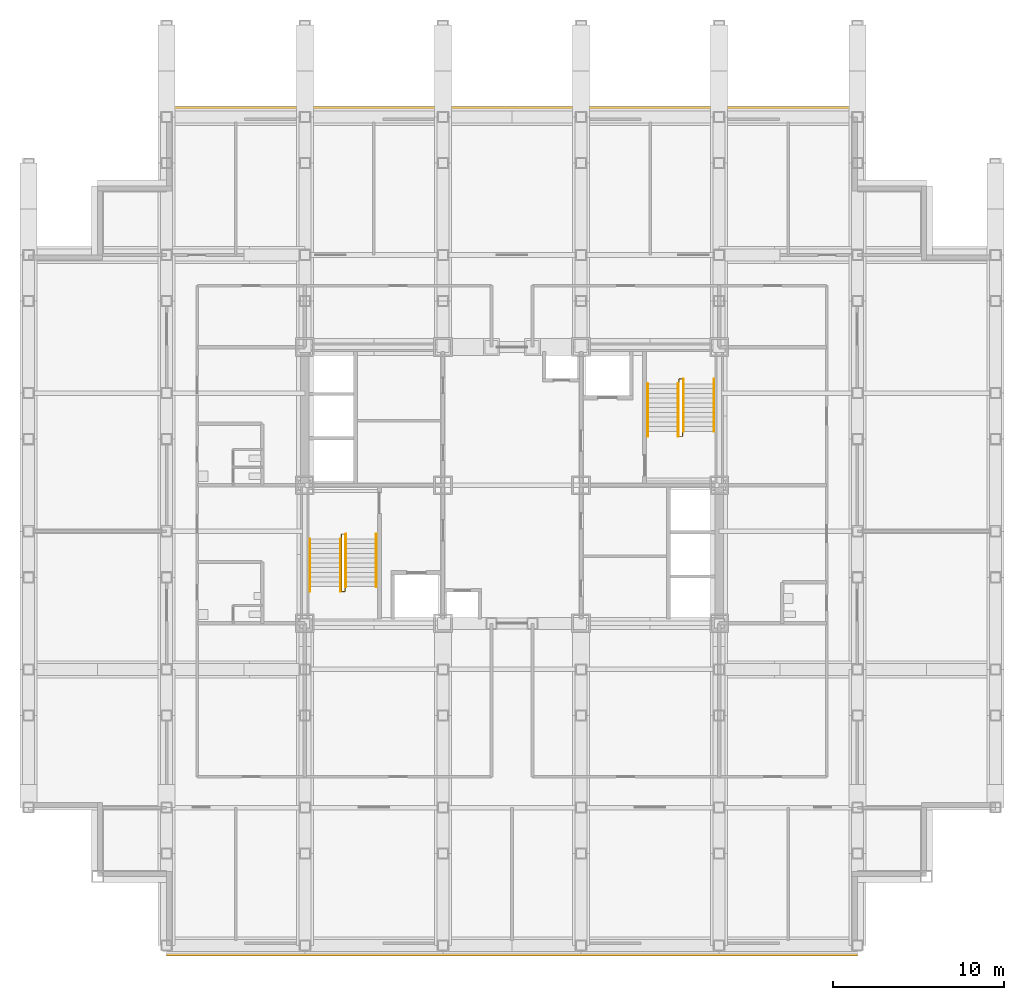
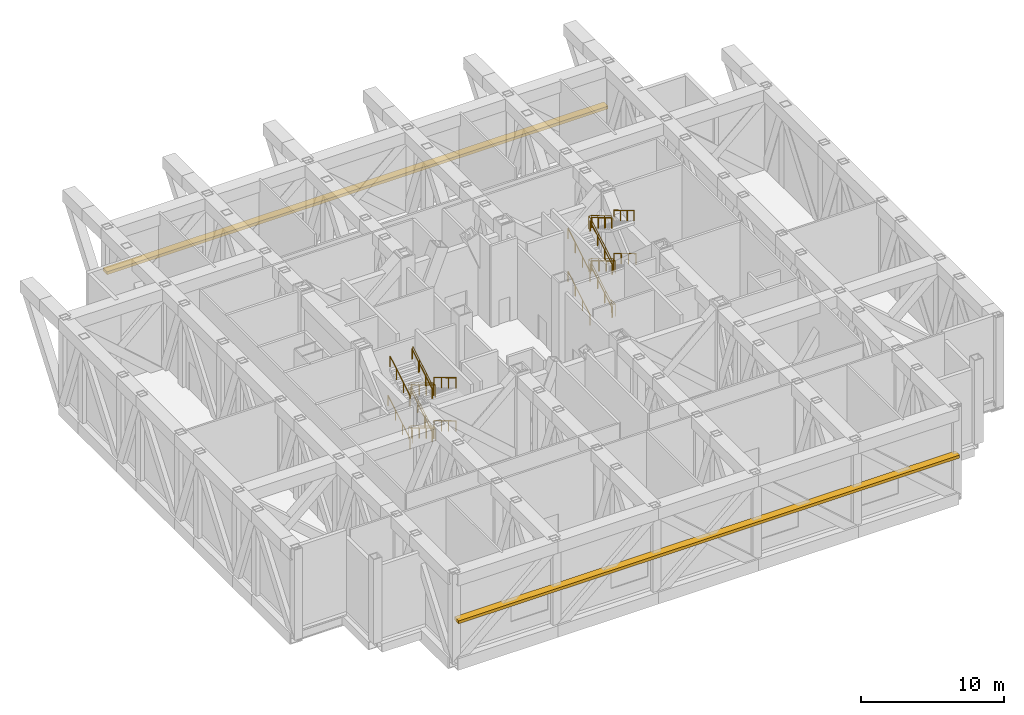
# One storey, part 12 of 13: 18 railings, 2 shading devices.
"""IFC4 building model written with IfcOpenShell, lengths in metres."""

from ifc_helpers import new_model, si_unit, direction, frame, origin, origin_2d, place, context, subcontext, project, spatial, rectangle, circle, extrude, material, type_object, element, save


model = new_model("IFC4")

# Units and contexts
model_context = context("Model", 3, precision=1e-05, world=origin(), true_north=direction((0.0, 1.0)))
body_context = subcontext(model_context, "Body", "Model", "MODEL_VIEW")
ifc_project = project(units=[si_unit("LENGTHUNIT", "METRE"), si_unit("AREAUNIT", "SQUARE_METRE"), si_unit("VOLUMEUNIT", "CUBIC_METRE"), si_unit("PLANEANGLEUNIT", "RADIAN"), si_unit("MASSUNIT", "GRAM", prefix="KILO")], contexts=[model_context])

# Site, building, storey
site_placement = place(None, origin())
site = spatial("IfcSite", under=ifc_project, at=site_placement, CompositionType="ELEMENT")
building_placement = place(site_placement, origin())
building = spatial("IfcBuilding", under=site, at=building_placement, Name="Kopane Lantern Tower", CompositionType="ELEMENT")
storey_placement = place(building_placement, frame((0.0, 0.0, 157.800048828125)))
storey = spatial("IfcBuildingStorey", under=building, at=storey_placement, Name="L41", CompositionType="ELEMENT", Elevation=157.800048828125)

# Railings
ifc_material_1 = material(Name="Steel", Category="steel")
railing_type_1 = type_object("IfcRailingType", Name="STAIR GUARD 1100", PredefinedType="GUARDRAIL", material=ifc_material_1)
railing_1_placement = place(storey_placement, frame((18.35009765625, 28.969970703125, 0.0)))
element("IfcRailing", 1, at=railing_1_placement, inside=storey, type_object=railing_type_1, Name="ST1 well guard L41", PredefinedType="GUARDRAIL", context=body_context, shape_type="SweptSolid", body=[
    extrude(circle(Radius=0.02392578125, at=origin_2d()), frame((0.0, 0.0, 1.076171875), z_axis=(0.0, 1.0, 0.0), x_axis=(-1.0, 0.0, 0.0)), (0.0, 0.0, 1.0), 0.56005859375),
    extrude(circle(Radius=0.02392578125, at=origin_2d()), frame((0.0, 0.56005859375, 1.076171875), z_axis=(1.0, 0.0, 0.0), x_axis=(0.0, 1.0, 0.0)), (0.0, 0.0, 1.0), 0.199951171875),
    extrude(circle(Radius=0.02392578125, at=origin_2d()), frame((0.199951171875, 0.56005859375, 1.076171875), z_axis=(0.0, -0.858260302833, 0.513214626234), x_axis=(1.0, 0.0, 0.0)), (0.0, 0.0, 1.0), 3.5888671875),
    extrude(circle(Radius=0.02392578125, at=origin_2d()), frame((0.199951171875, -2.52001953125, 2.91796875), z_axis=(0.0, -1.0, 0.0), x_axis=(1.0, 0.0, 0.0)), (0.0, 0.0, 1.0), 0.280029296875),
    extrude(circle(Radius=0.02392578125, at=origin_2d()), frame((0.199951171875, -2.800048828125, 2.91796875), z_axis=(-1.0, 0.0, 0.0), x_axis=(0.0, -1.0, 0.0)), (0.0, 0.0, 1.0), 0.199951171875),
    extrude(circle(Radius=0.02392578125, at=origin_2d()), frame((0.0, -2.800048828125, 2.91796875), z_axis=(0.0, 0.858260302833, 0.513214626234), x_axis=(-1.0, 0.0, 0.0)), (0.0, 0.0, 1.0), 3.5888671875),
    extrude(circle(Radius=0.02392578125, at=origin_2d()), frame((0.0, 0.280029296875, 4.759765625), z_axis=(0.0, 1.0, 0.0), x_axis=(-1.0, 0.0, 0.0)), (0.0, 0.0, 1.0), 0.280029296875),
    extrude(circle(Radius=0.02392578125, at=origin_2d()), frame((0.0, 0.56005859375, 4.759765625), z_axis=(1.0, 0.0, 0.0), x_axis=(0.0, 1.0, 0.0)), (0.0, 0.0, 1.0), 0.199951171875),
    extrude(circle(Radius=0.02392578125, at=origin_2d()), frame((0.199951171875, 0.56005859375, 4.759765625), z_axis=(0.0, -0.85823033734, 0.513264734879), x_axis=(1.0, 0.0, 0.0)), (0.0, 0.0, 1.0), 3.5888671875),
    extrude(circle(Radius=0.02392578125, at=origin_2d()), frame((0.199951171875, -2.52001953125, 6.6015625), z_axis=(0.0, -1.0, 0.0), x_axis=(1.0, 0.0, 0.0)), (0.0, 0.0, 1.0), 0.280029296875),
    extrude(circle(Radius=0.02392578125, at=origin_2d()), frame((0.199951171875, -2.800048828125, 6.6015625), z_axis=(-1.0, 0.0, 0.0), x_axis=(0.0, -1.0, 0.0)), (0.0, 0.0, 1.0), 0.199951171875),
    extrude(circle(Radius=0.02392578125, at=origin_2d()), frame((0.0, -2.800048828125, 6.6015625), z_axis=(0.0, 0.858264504049, 0.513207600381), x_axis=(-1.0, 0.0, 0.0)), (0.0, 0.0, 1.0), 3.262451171875),
    extrude(circle(Radius=0.02099609375, at=origin_2d()), origin(), (0.0, 0.0, 1.0), 1.052001953125),
    extrude(circle(Radius=0.02099609375, at=origin_2d()), frame((0.0, 0.56005859375, 0.0)), (0.0, 0.0, 1.0), 1.052001953125),
    extrude(circle(Radius=0.02099609375, at=origin_2d()), frame((0.199951171875, 0.56005859375, 0.0)), (0.0, 0.0, 1.0), 1.052001953125),
    extrude(circle(Radius=0.02099609375, at=origin_2d()), frame((0.199951171875, -0.466552734375, 0.614013671875)), (0.0, 0.0, 1.0), 1.052001953125),
    extrude(circle(Radius=0.02099609375, at=origin_2d()), frame((0.199951171875, -1.493408203125, 1.227783203125)), (0.0, 0.0, 1.0), 1.052001953125),
    extrude(circle(Radius=0.02099609375, at=origin_2d()), frame((0.199951171875, -2.52001953125, 1.841796875)), (0.0, 0.0, 1.0), 1.052001953125),
    extrude(circle(Radius=0.02099609375, at=origin_2d()), frame((0.199951171875, -2.800048828125, 1.841796875)), (0.0, 0.0, 1.0), 1.052001953125),
    extrude(circle(Radius=0.02099609375, at=origin_2d()), frame((0.0, -2.800048828125, 1.841796875)), (0.0, 0.0, 1.0), 1.052001953125),
    extrude(circle(Radius=0.02099609375, at=origin_2d()), frame((0.0, -1.7734375, 2.455810546875)), (0.0, 0.0, 1.0), 1.052001953125),
    extrude(circle(Radius=0.02099609375, at=origin_2d()), frame((0.0, -0.74658203125, 3.069580078125)), (0.0, 0.0, 1.0), 1.052001953125),
    extrude(circle(Radius=0.02099609375, at=origin_2d()), frame((0.0, 0.280029296875, 3.68359375)), (0.0, 0.0, 1.0), 1.052001953125),
    extrude(circle(Radius=0.02099609375, at=origin_2d()), frame((0.0, 0.56005859375, 3.68359375)), (0.0, 0.0, 1.0), 1.052001953125),
    extrude(circle(Radius=0.02099609375, at=origin_2d()), frame((0.199951171875, 0.56005859375, 3.68359375)), (0.0, 0.0, 1.0), 1.052001953125),
    extrude(circle(Radius=0.02099609375, at=origin_2d()), frame((0.199951171875, -0.466552734375, 4.297607421875)), (0.0, 0.0, 1.0), 1.052001953125),
    extrude(circle(Radius=0.02099609375, at=origin_2d()), frame((0.199951171875, -1.493408203125, 4.91162109375)), (0.0, 0.0, 1.0), 1.052001953125),
    extrude(circle(Radius=0.02099609375, at=origin_2d()), frame((0.199951171875, -2.52001953125, 5.525634765625)), (0.0, 0.0, 1.0), 1.052001953125),
    extrude(circle(Radius=0.02099609375, at=origin_2d()), frame((0.199951171875, -2.800048828125, 5.525634765625)), (0.0, 0.0, 1.0), 1.052001953125),
    extrude(circle(Radius=0.02099609375, at=origin_2d()), frame((0.0, -2.800048828125, 5.525634765625)), (0.0, 0.0, 1.0), 1.052001953125),
    extrude(circle(Radius=0.02099609375, at=origin_2d()), frame((0.0, -1.86669921875, 6.083740234375)), (0.0, 0.0, 1.0), 1.052001953125),
    extrude(circle(Radius=0.02099609375, at=origin_2d()), frame((0.0, -0.933349609375, 6.641845703125)), (0.0, 0.0, 1.0), 1.052001953125),
    extrude(circle(Radius=0.02099609375, at=origin_2d()), frame((0.0, 0.0, 7.199951171875)), (0.0, 0.0, 1.0), 1.052001953125),
])
railing_2_placement = place(storey_placement, frame((38.35009765625, 35.830078125, 0.0)))
element("IfcRailing", 2, at=railing_2_placement, inside=storey, type_object=railing_type_1, Name="ST2 well guard L41", PredefinedType="GUARDRAIL", context=body_context, shape_type="SweptSolid", body=[
    extrude(circle(Radius=0.02392578125, at=origin_2d()), frame((0.0, 0.0, 1.076171875), z_axis=(0.0, -1.0, 0.0), x_axis=(1.0, 0.0, 0.0)), (0.0, 0.0, 1.0), 0.56005859375),
    extrude(circle(Radius=0.02392578125, at=origin_2d()), frame((0.0, -0.56005859375, 1.076171875), z_axis=(-1.0, 0.0, 0.0), x_axis=(0.0, -1.0, 0.0)), (0.0, 0.0, 1.0), 0.2001953125),
    extrude(circle(Radius=0.02392578125, at=origin_2d()), frame((-0.2001953125, -0.56005859375, 1.076171875), z_axis=(0.0, 0.858260302833, 0.513214626234), x_axis=(-1.0, 0.0, 0.0)), (0.0, 0.0, 1.0), 3.5888671875),
    extrude(circle(Radius=0.02392578125, at=origin_2d()), frame((-0.2001953125, 2.52001953125, 2.91796875), z_axis=(0.0, 1.0, 0.0), x_axis=(-1.0, 0.0, 0.0)), (0.0, 0.0, 1.0), 0.27978515625),
    extrude(circle(Radius=0.02392578125, at=origin_2d()), frame((-0.2001953125, 2.7998046875, 2.91796875), z_axis=(1.0, 0.0, 0.0), x_axis=(0.0, 1.0, 0.0)), (0.0, 0.0, 1.0), 0.2001953125),
    extrude(circle(Radius=0.02392578125, at=origin_2d()), frame((0.0, 2.7998046875, 2.91796875), z_axis=(0.0, -0.858242383022, 0.513244592748), x_axis=(1.0, 0.0, 0.0)), (0.0, 0.0, 1.0), 3.588623046875),
    extrude(circle(Radius=0.02392578125, at=origin_2d()), frame((0.0, -0.280029296875, 4.759765625), z_axis=(0.0, -1.0, 0.0), x_axis=(1.0, 0.0, 0.0)), (0.0, 0.0, 1.0), 0.280029296875),
    extrude(circle(Radius=0.02392578125, at=origin_2d()), frame((0.0, -0.56005859375, 4.759765625), z_axis=(-1.0, 0.0, 0.0), x_axis=(0.0, -1.0, 0.0)), (0.0, 0.0, 1.0), 0.2001953125),
    extrude(circle(Radius=0.02392578125, at=origin_2d()), frame((-0.2001953125, -0.56005859375, 4.759765625), z_axis=(0.0, 0.85823033734, 0.513264734879), x_axis=(-1.0, 0.0, 0.0)), (0.0, 0.0, 1.0), 3.5888671875),
    extrude(circle(Radius=0.02392578125, at=origin_2d()), frame((-0.2001953125, 2.52001953125, 6.6015625), z_axis=(0.0, 1.0, 0.0), x_axis=(-1.0, 0.0, 0.0)), (0.0, 0.0, 1.0), 0.27978515625),
    extrude(circle(Radius=0.02392578125, at=origin_2d()), frame((-0.2001953125, 2.7998046875, 6.6015625), z_axis=(1.0, 0.0, 0.0), x_axis=(0.0, 1.0, 0.0)), (0.0, 0.0, 1.0), 0.2001953125),
    extrude(circle(Radius=0.02392578125, at=origin_2d()), frame((0.0, 2.7998046875, 6.6015625), z_axis=(0.0, -0.858244792371, 0.513240563837), x_axis=(1.0, 0.0, 0.0)), (0.0, 0.0, 1.0), 3.26220703125),
    extrude(circle(Radius=0.02099609375, at=origin_2d()), origin(), (0.0, 0.0, 1.0), 1.052001953125),
    extrude(circle(Radius=0.02099609375, at=origin_2d()), frame((0.0, -0.56005859375, 0.0)), (0.0, 0.0, 1.0), 1.052001953125),
    extrude(circle(Radius=0.02099609375, at=origin_2d()), frame((-0.2001953125, -0.56005859375, 0.0)), (0.0, 0.0, 1.0), 1.052001953125),
    extrude(circle(Radius=0.02099609375, at=origin_2d()), frame((-0.2001953125, 0.466552734375, 0.614013671875)), (0.0, 0.0, 1.0), 1.052001953125),
    extrude(circle(Radius=0.02099609375, at=origin_2d()), frame((-0.2001953125, 1.493408203125, 1.227783203125)), (0.0, 0.0, 1.0), 1.052001953125),
    extrude(circle(Radius=0.02099609375, at=origin_2d()), frame((-0.2001953125, 2.52001953125, 1.841796875)), (0.0, 0.0, 1.0), 1.052001953125),
    extrude(circle(Radius=0.02099609375, at=origin_2d()), frame((-0.2001953125, 2.7998046875, 1.841796875)), (0.0, 0.0, 1.0), 1.052001953125),
    extrude(circle(Radius=0.02099609375, at=origin_2d()), frame((0.0, 2.7998046875, 1.841796875)), (0.0, 0.0, 1.0), 1.052001953125),
    extrude(circle(Radius=0.02099609375, at=origin_2d()), frame((0.0, 1.773193359375, 2.455810546875)), (0.0, 0.0, 1.0), 1.052001953125),
    extrude(circle(Radius=0.02099609375, at=origin_2d()), frame((0.0, 0.74658203125, 3.069580078125)), (0.0, 0.0, 1.0), 1.052001953125),
    extrude(circle(Radius=0.02099609375, at=origin_2d()), frame((0.0, -0.280029296875, 3.68359375)), (0.0, 0.0, 1.0), 1.052001953125),
    extrude(circle(Radius=0.02099609375, at=origin_2d()), frame((0.0, -0.56005859375, 3.68359375)), (0.0, 0.0, 1.0), 1.052001953125),
    extrude(circle(Radius=0.02099609375, at=origin_2d()), frame((-0.2001953125, -0.56005859375, 3.68359375)), (0.0, 0.0, 1.0), 1.052001953125),
    extrude(circle(Radius=0.02099609375, at=origin_2d()), frame((-0.2001953125, 0.466552734375, 4.297607421875)), (0.0, 0.0, 1.0), 1.052001953125),
    extrude(circle(Radius=0.02099609375, at=origin_2d()), frame((-0.2001953125, 1.493408203125, 4.91162109375)), (0.0, 0.0, 1.0), 1.052001953125),
    extrude(circle(Radius=0.02099609375, at=origin_2d()), frame((-0.2001953125, 2.52001953125, 5.525634765625)), (0.0, 0.0, 1.0), 1.052001953125),
    extrude(circle(Radius=0.02099609375, at=origin_2d()), frame((-0.2001953125, 2.7998046875, 5.525634765625)), (0.0, 0.0, 1.0), 1.052001953125),
    extrude(circle(Radius=0.02099609375, at=origin_2d()), frame((0.0, 2.7998046875, 5.525634765625)), (0.0, 0.0, 1.0), 1.052001953125),
    extrude(circle(Radius=0.02099609375, at=origin_2d()), frame((0.0, 1.866455078125, 6.083740234375)), (0.0, 0.0, 1.0), 1.052001953125),
    extrude(circle(Radius=0.02099609375, at=origin_2d()), frame((0.0, 0.933349609375, 6.641845703125)), (0.0, 0.0, 1.0), 1.052001953125),
    extrude(circle(Radius=0.02099609375, at=origin_2d()), frame((0.0, 0.0, 7.199951171875)), (0.0, 0.0, 1.0), 1.052001953125),
])
ifc_material_2 = material(Name="Steel", Category="steel")
railing_type_2 = type_object("IfcRailingType", Name="STAIR HANDRAIL 900", PredefinedType="HANDRAIL", material=ifc_material_2)
for number, where, name in (
    (3, (20.389892578125, 29.530029296875, 0.0), "ST1 handrail L41 flight 1"),
    (4, (18.610107421875, 29.530029296875, 0.0), "ST1 handrail L41 flight 1"),
):
    element("IfcRailing", number, at=place(storey_placement, frame(where)), inside=storey, type_object=railing_type_2, Name=name, PredefinedType="HANDRAIL", context=body_context, shape_type="SweptSolid", body=[
        extrude(circle(Radius=0.02392578125, at=origin_2d()), frame((0.0, 0.0, 0.8759765625), z_axis=(0.0, -0.858260302833, 0.513214626234), x_axis=(1.0, 0.0, 0.0)), (0.0, 0.0, 1.0), 3.5888671875),
        extrude(circle(Radius=0.02099609375, at=origin_2d()), origin(), (0.0, 0.0, 1.0), 0.851806640625),
        extrude(circle(Radius=0.02099609375, at=origin_2d()), frame((0.0, -1.026611328125, 0.614013671875)), (0.0, 0.0, 1.0), 0.851806640625),
        extrude(circle(Radius=0.02099609375, at=origin_2d()), frame((0.0, -2.053466796875, 1.227783203125)), (0.0, 0.0, 1.0), 0.851806640625),
        extrude(circle(Radius=0.02099609375, at=origin_2d()), frame((0.0, -3.080078125, 1.841796875)), (0.0, 0.0, 1.0), 0.851806640625),
    ])
for number, where, name in (
    (5, (16.510009765625, 26.169921875, 1.841796875), "ST1 handrail L41 flight 2"),
    (6, (18.2900390625, 26.169921875, 1.841796875), "ST1 handrail L41 flight 2"),
):
    element("IfcRailing", number, at=place(storey_placement, frame(where)), inside=storey, type_object=railing_type_2, Name=name, PredefinedType="HANDRAIL", context=body_context, shape_type="SweptSolid", body=[
        extrude(circle(Radius=0.02392578125, at=origin_2d()), frame((0.0, 0.0, 0.8759765625), z_axis=(0.0, 0.858260302833, 0.513214626234), x_axis=(-1.0, 0.0, 0.0)), (0.0, 0.0, 1.0), 3.5888671875),
        extrude(circle(Radius=0.02099609375, at=origin_2d()), origin(), (0.0, 0.0, 1.0), 0.851806640625),
        extrude(circle(Radius=0.02099609375, at=origin_2d()), frame((0.0, 1.026611328125, 0.614013671875)), (0.0, 0.0, 1.0), 0.851806640625),
        extrude(circle(Radius=0.02099609375, at=origin_2d()), frame((0.0, 2.053466796875, 1.227783203125)), (0.0, 0.0, 1.0), 0.851806640625),
        extrude(circle(Radius=0.02099609375, at=origin_2d()), frame((0.0, 3.080078125, 1.841796875)), (0.0, 0.0, 1.0), 0.851806640625),
    ])
for number, where, name in (
    (7, (20.389892578125, 29.530029296875, 3.68359375), "ST1 handrail L41 flight 3"),
    (8, (18.610107421875, 29.530029296875, 3.68359375), "ST1 handrail L41 flight 3"),
):
    element("IfcRailing", number, at=place(storey_placement, frame(where)), inside=storey, type_object=railing_type_2, Name=name, PredefinedType="HANDRAIL", context=body_context, shape_type="SweptSolid", body=[
        extrude(circle(Radius=0.02392578125, at=origin_2d()), frame((0.0, 0.0, 0.8759765625), z_axis=(0.0, -0.85823033734, 0.513264734879), x_axis=(1.0, 0.0, 0.0)), (0.0, 0.0, 1.0), 3.5888671875),
        extrude(circle(Radius=0.02099609375, at=origin_2d()), origin(), (0.0, 0.0, 1.0), 0.851806640625),
        extrude(circle(Radius=0.02099609375, at=origin_2d()), frame((0.0, -1.026611328125, 0.614013671875)), (0.0, 0.0, 1.0), 0.851806640625),
        extrude(circle(Radius=0.02099609375, at=origin_2d()), frame((0.0, -2.053466796875, 1.22802734375)), (0.0, 0.0, 1.0), 0.851806640625),
        extrude(circle(Radius=0.02099609375, at=origin_2d()), frame((0.0, -3.080078125, 1.842041015625)), (0.0, 0.0, 1.0), 0.851806640625),
    ])
for number, where, name in (
    (9, (16.510009765625, 26.169921875, 5.525634765625), "ST1 handrail L41 flight 4"),
    (10, (18.2900390625, 26.169921875, 5.525634765625), "ST1 handrail L41 flight 4"),
):
    element("IfcRailing", number, at=place(storey_placement, frame(where)), inside=storey, type_object=railing_type_2, Name=name, PredefinedType="HANDRAIL", context=body_context, shape_type="SweptSolid", body=[
        extrude(circle(Radius=0.02392578125, at=origin_2d()), frame((0.0, 0.0, 0.8759765625), z_axis=(0.0, 0.858264504049, 0.513207600381), x_axis=(-1.0, 0.0, 0.0)), (0.0, 0.0, 1.0), 3.262451171875),
        extrude(circle(Radius=0.02099609375, at=origin_2d()), origin(), (0.0, 0.0, 1.0), 0.851806640625),
        extrude(circle(Radius=0.02099609375, at=origin_2d()), frame((0.0, 0.933349609375, 0.55810546875)), (0.0, 0.0, 1.0), 0.851806640625),
        extrude(circle(Radius=0.02099609375, at=origin_2d()), frame((0.0, 1.86669921875, 1.1162109375)), (0.0, 0.0, 1.0), 0.851806640625),
        extrude(circle(Radius=0.02099609375, at=origin_2d()), frame((0.0, 2.800048828125, 1.67431640625)), (0.0, 0.0, 1.0), 0.851806640625),
    ])
for number, where, name in (
    (11, (36.31005859375, 35.27001953125, 0.0), "ST2 handrail L41 flight 1"),
    (12, (38.090087890625, 35.27001953125, 0.0), "ST2 handrail L41 flight 1"),
):
    element("IfcRailing", number, at=place(storey_placement, frame(where)), inside=storey, type_object=railing_type_2, Name=name, PredefinedType="HANDRAIL", context=body_context, shape_type="SweptSolid", body=[
        extrude(circle(Radius=0.02392578125, at=origin_2d()), frame((0.0, 0.0, 0.8759765625), z_axis=(0.0, 0.858260302833, 0.513214626234), x_axis=(-1.0, 0.0, 0.0)), (0.0, 0.0, 1.0), 3.5888671875),
        extrude(circle(Radius=0.02099609375, at=origin_2d()), origin(), (0.0, 0.0, 1.0), 0.851806640625),
        extrude(circle(Radius=0.02099609375, at=origin_2d()), frame((0.0, 1.026611328125, 0.614013671875)), (0.0, 0.0, 1.0), 0.851806640625),
        extrude(circle(Radius=0.02099609375, at=origin_2d()), frame((0.0, 2.053466796875, 1.227783203125)), (0.0, 0.0, 1.0), 0.851806640625),
        extrude(circle(Radius=0.02099609375, at=origin_2d()), frame((0.0, 3.080078125, 1.841796875)), (0.0, 0.0, 1.0), 0.851806640625),
    ])
for number, where, name in (
    (13, (40.18994140625, 38.6298828125, 1.841796875), "ST2 handrail L41 flight 2"),
    (14, (38.409912109375, 38.6298828125, 1.841796875), "ST2 handrail L41 flight 2"),
):
    element("IfcRailing", number, at=place(storey_placement, frame(where)), inside=storey, type_object=railing_type_2, Name=name, PredefinedType="HANDRAIL", context=body_context, shape_type="SweptSolid", body=[
        extrude(circle(Radius=0.02392578125, at=origin_2d()), frame((0.0, 0.0, 0.8759765625), z_axis=(0.0, -0.858242383022, 0.513244592748), x_axis=(1.0, 0.0, 0.0)), (0.0, 0.0, 1.0), 3.588623046875),
        extrude(circle(Radius=0.02099609375, at=origin_2d()), origin(), (0.0, 0.0, 1.0), 0.851806640625),
        extrude(circle(Radius=0.02099609375, at=origin_2d()), frame((0.0, -1.026611328125, 0.614013671875)), (0.0, 0.0, 1.0), 0.851806640625),
        extrude(circle(Radius=0.02099609375, at=origin_2d()), frame((0.0, -2.05322265625, 1.227783203125)), (0.0, 0.0, 1.0), 0.851806640625),
        extrude(circle(Radius=0.02099609375, at=origin_2d()), frame((0.0, -3.079833984375, 1.841796875)), (0.0, 0.0, 1.0), 0.851806640625),
    ])
for number, where, name in (
    (15, (36.31005859375, 35.27001953125, 3.68359375), "ST2 handrail L41 flight 3"),
    (16, (38.090087890625, 35.27001953125, 3.68359375), "ST2 handrail L41 flight 3"),
):
    element("IfcRailing", number, at=place(storey_placement, frame(where)), inside=storey, type_object=railing_type_2, Name=name, PredefinedType="HANDRAIL", context=body_context, shape_type="SweptSolid", body=[
        extrude(circle(Radius=0.02392578125, at=origin_2d()), frame((0.0, 0.0, 0.8759765625), z_axis=(0.0, 0.85823033734, 0.513264734879), x_axis=(-1.0, 0.0, 0.0)), (0.0, 0.0, 1.0), 3.5888671875),
        extrude(circle(Radius=0.02099609375, at=origin_2d()), origin(), (0.0, 0.0, 1.0), 0.851806640625),
        extrude(circle(Radius=0.02099609375, at=origin_2d()), frame((0.0, 1.026611328125, 0.614013671875)), (0.0, 0.0, 1.0), 0.851806640625),
        extrude(circle(Radius=0.02099609375, at=origin_2d()), frame((0.0, 2.053466796875, 1.22802734375)), (0.0, 0.0, 1.0), 0.851806640625),
        extrude(circle(Radius=0.02099609375, at=origin_2d()), frame((0.0, 3.080078125, 1.842041015625)), (0.0, 0.0, 1.0), 0.851806640625),
    ])
for number, where, name in (
    (17, (40.18994140625, 38.6298828125, 5.525634765625), "ST2 handrail L41 flight 4"),
    (18, (38.409912109375, 38.6298828125, 5.525634765625), "ST2 handrail L41 flight 4"),
):
    element("IfcRailing", number, at=place(storey_placement, frame(where)), inside=storey, type_object=railing_type_2, Name=name, PredefinedType="HANDRAIL", context=body_context, shape_type="SweptSolid", body=[
        extrude(circle(Radius=0.02392578125, at=origin_2d()), frame((0.0, 0.0, 0.8759765625), z_axis=(0.0, -0.858244792371, 0.513240563837), x_axis=(1.0, 0.0, 0.0)), (0.0, 0.0, 1.0), 3.26220703125),
        extrude(circle(Radius=0.02099609375, at=origin_2d()), origin(), (0.0, 0.0, 1.0), 0.851806640625),
        extrude(circle(Radius=0.02099609375, at=origin_2d()), frame((0.0, -0.933349609375, 0.55810546875)), (0.0, 0.0, 1.0), 0.851806640625),
        extrude(circle(Radius=0.02099609375, at=origin_2d()), frame((0.0, -1.866455078125, 1.1162109375)), (0.0, 0.0, 1.0), 0.851806640625),
        extrude(circle(Radius=0.02099609375, at=origin_2d()), frame((0.0, -2.7998046875, 1.67431640625)), (0.0, 0.0, 1.0), 0.851806640625),
    ])

# Shading devices
ifc_material_3 = material(Name="Terracotta rainscreen on light steel framing", Category="masonry")
shading_device_type = type_object("IfcShadingDeviceType", Name="SUNSHADE BAND SB1 600 TERRACOTTA", PredefinedType="USERDEFINED", material=ifc_material_3)
for number, where, z_axis, x_axis, name in (
    (19, (28.35009765625, 5.10009765625, 2.800048828125), (0.0, 0.0, 1.0), (1.0, 0.0, 0.0), "Sunshade band S L41"),
    (20, (28.35009765625, 54.300048828125, 2.800048828125), (0.0, 0.0, 1.0), (-1.0, 0.0, 0.0), "Sunshade band N L41"),
):
    element("IfcShadingDevice", number, at=place(storey_placement, frame(where, z_axis=z_axis, x_axis=x_axis)), inside=storey, type_object=shading_device_type, Name=name, ObjectType="SUNSHADE BAND", PredefinedType="USERDEFINED", context=body_context, shape_type="SweptSolid", body=[
        extrude(rectangle(XDim=40.5, YDim=0.60009765625, at=origin_2d()), origin(), (0.0, 0.0, 1.0), 0.25),
    ])

save(model, "model.ifc")
